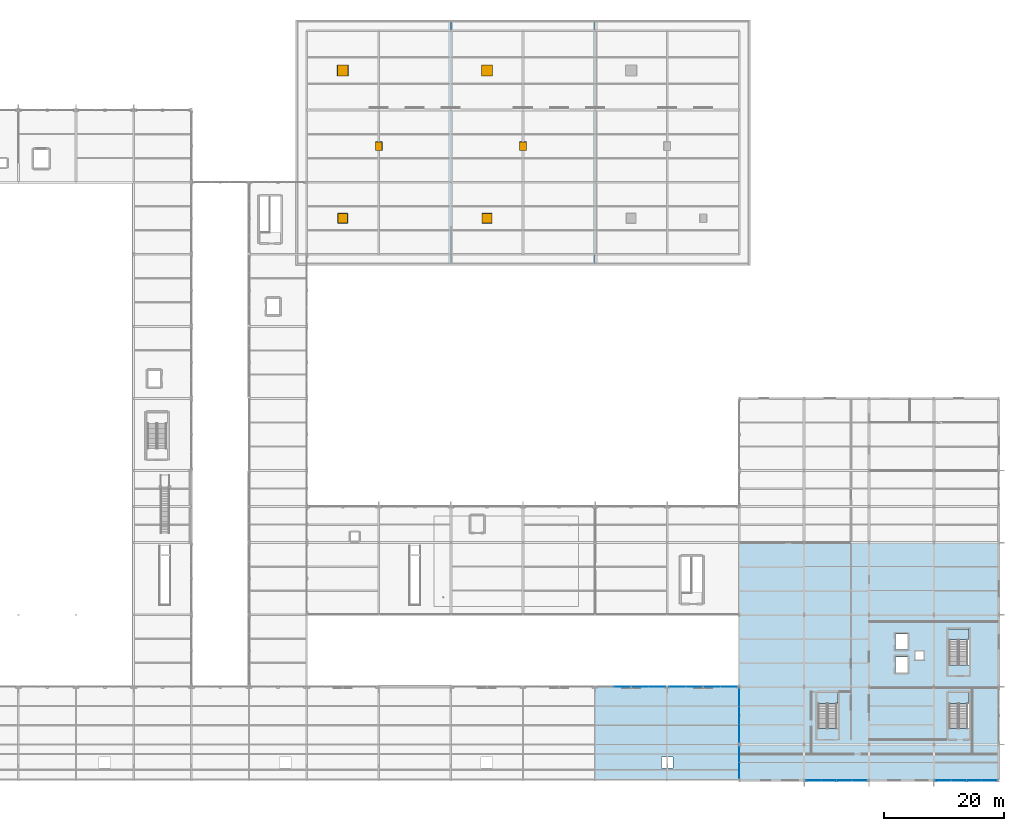
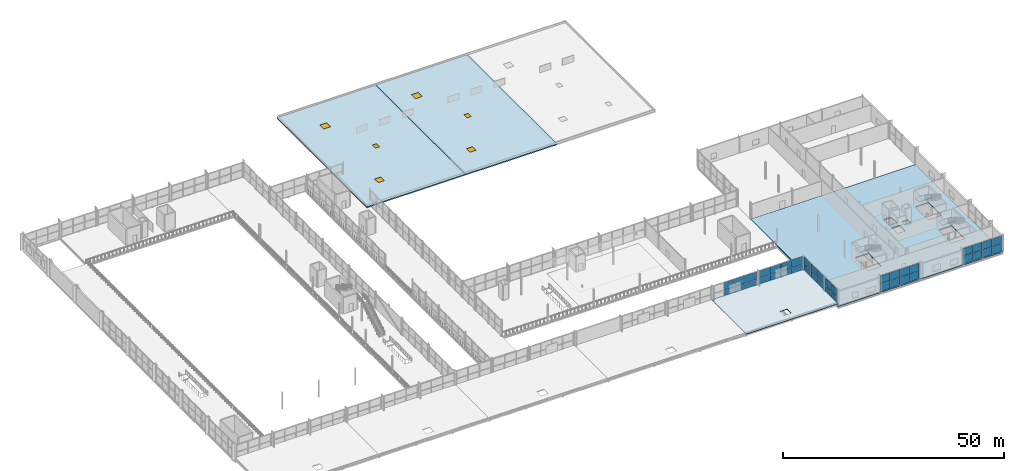
# One storey, part 125 of 159: 40 plates, 7 slabs, 6 windows, 6 openings, 9 elements without a shape of their own.
"""IFC4 building model written with IfcOpenShell, lengths in metres."""

from ifc_helpers import new_model, si_unit, direction, frame, origin, origin_2d, place, context, subcontext, project, spatial, polyline, rectangle, outline, extrude, material, layer, layer_set, type_object, element, fill, aggregate, save


model = new_model("IFC4")

# Units and contexts
model_context = context("Model", 3, precision=1e-05, world=origin(), true_north=direction((0.0, 1.0)))
body_context = subcontext(model_context, "Body", "Model", "MODEL_VIEW")
ifc_project = project(units=[si_unit("LENGTHUNIT", "METRE"), si_unit("AREAUNIT", "SQUARE_METRE"), si_unit("VOLUMEUNIT", "CUBIC_METRE"), si_unit("PLANEANGLEUNIT", "RADIAN"), si_unit("MASSUNIT", "GRAM", prefix="KILO")], contexts=[model_context])

# Site, building, storey
site_placement = place(None, origin())
site = spatial("IfcSite", under=ifc_project, at=site_placement, CompositionType="ELEMENT")
building_placement = place(site_placement, origin())
building = spatial("IfcBuilding", under=site, at=building_placement, Name="Merenkruunu Market Hall", CompositionType="ELEMENT")
storey_placement = place(building_placement, frame((0.0, 0.0, 5.39990234375)))
storey = spatial("IfcBuildingStorey", under=building, at=storey_placement, Name="L01", CompositionType="ELEMENT", Elevation=5.39990234375)

# Curtain wall, plates
ifc_material_1 = material(Name="Powder-coated aluminium", Category="aluminium")
curtain_wall_type_1 = type_object("IfcCurtainWallType", Name="Glazed Curtain Wall CW02", PredefinedType="USERDEFINED", material=ifc_material_1)
curtain_wall_1_placement = place(storey_placement, origin())
curtain_wall_1 = element("IfcCurtainWall", 1, at=curtain_wall_1_placement, inside=storey, type_object=curtain_wall_type_1, Name="CW-L01-CWM02-195", ObjectType="GLAZED_FACADE", PredefinedType="USERDEFINED")
ifc_material_2 = material(Name="Triple low-E insulated glass", Category="glass")
ifc_layer_1 = layer(ifc_material_2, 0.0380859375)
ifc_layer_set_1 = layer_set([ifc_layer_1], Name="Triple low-E insulated glass")
plate_type_1 = type_object("IfcPlateType", Name="Curtain Wall Glazing Panel CWP04", PredefinedType="CURTAIN_PANEL", material=ifc_layer_set_1)
plate_1_placement = place(storey_placement, frame((135.074951171875, 15.60009765625, 0.06005859375), z_axis=(0.0, 0.0, 1.0), x_axis=(-1.0, 0.0, 0.0)))
plate_1 = element("IfcPlate", 2, at=plate_1_placement, type_object=plate_type_1, Name="CW02 panel 1.1", PredefinedType="CURTAIN_PANEL", context=body_context, shape_type="SweptSolid", body=[
    extrude(rectangle(XDim=2.77001953125, YDim=0.0380859375, at=origin_2d()), origin(), (0.0, 0.0, 1.0), 2.110107421875),
])
plate_2_placement = place(storey_placement, frame((135.074951171875, 15.60009765625, 2.22998046875), z_axis=(0.0, 0.0, 1.0), x_axis=(-1.0, 0.0, 0.0)))
plate_2 = element("IfcPlate", 3, at=plate_2_placement, type_object=plate_type_1, Name="CW02 panel 1.2", PredefinedType="CURTAIN_PANEL", context=body_context, shape_type="SweptSolid", body=[
    extrude(rectangle(XDim=2.77001953125, YDim=0.0380859375, at=origin_2d()), origin(), (0.0, 0.0, 1.0), 2.110107421875),
])
plate_3_placement = place(storey_placement, frame((132.22998046875, 15.60009765625, 0.06005859375), z_axis=(0.0, 0.0, 1.0), x_axis=(-1.0, 0.0, 0.0)))
plate_3 = element("IfcPlate", 4, at=plate_3_placement, type_object=plate_type_1, Name="CW02 panel 2.1", PredefinedType="CURTAIN_PANEL", context=body_context, shape_type="SweptSolid", body=[
    extrude(rectangle(XDim=2.800048828125, YDim=0.0380859375, at=origin_2d()), origin(), (0.0, 0.0, 1.0), 2.110107421875),
])
plate_4_placement = place(storey_placement, frame((132.22998046875, 15.60009765625, 2.22998046875), z_axis=(0.0, 0.0, 1.0), x_axis=(-1.0, 0.0, 0.0)))
plate_4 = element("IfcPlate", 5, at=plate_4_placement, type_object=plate_type_1, Name="CW02 panel 2.2", PredefinedType="CURTAIN_PANEL", context=body_context, shape_type="SweptSolid", body=[
    extrude(rectangle(XDim=2.800048828125, YDim=0.0380859375, at=origin_2d()), origin(), (0.0, 0.0, 1.0), 2.110107421875),
])
plate_5_placement = place(storey_placement, frame((129.3701171875, 15.60009765625, 0.06005859375), z_axis=(0.0, 0.0, 1.0), x_axis=(-1.0, 0.0, 0.0)))
plate_5 = element("IfcPlate", 6, at=plate_5_placement, type_object=plate_type_1, Name="CW02 panel 3.1", PredefinedType="CURTAIN_PANEL", context=body_context, shape_type="SweptSolid", body=[
    extrude(rectangle(XDim=2.800048828125, YDim=0.0380859375, at=origin_2d()), origin(), (0.0, 0.0, 1.0), 2.110107421875),
])
plate_6_placement = place(storey_placement, frame((129.3701171875, 15.60009765625, 2.22998046875), z_axis=(0.0, 0.0, 1.0), x_axis=(-1.0, 0.0, 0.0)))
plate_6 = element("IfcPlate", 7, at=plate_6_placement, type_object=plate_type_1, Name="CW02 panel 3.2", PredefinedType="CURTAIN_PANEL", context=body_context, shape_type="SweptSolid", body=[
    extrude(rectangle(XDim=2.800048828125, YDim=0.0380859375, at=origin_2d()), origin(), (0.0, 0.0, 1.0), 2.110107421875),
])
aggregate(curtain_wall_1, [plate_1, plate_2, plate_3, plate_4, plate_5, plate_6])

curtain_wall_2_placement = place(storey_placement, origin())
curtain_wall_2 = element("IfcCurtainWall", 8, at=curtain_wall_2_placement, inside=storey, type_object=curtain_wall_type_1, Name="CW-L01-CWM02-199", ObjectType="GLAZED_FACADE", PredefinedType="USERDEFINED")
plate_7_placement = place(storey_placement, frame((147.074951171875, 15.60009765625, 0.06005859375), z_axis=(0.0, 0.0, 1.0), x_axis=(-1.0, 0.0, 0.0)))
plate_7 = element("IfcPlate", 9, at=plate_7_placement, type_object=plate_type_1, Name="CW02 panel 1.1", PredefinedType="CURTAIN_PANEL", context=body_context, shape_type="SweptSolid", body=[
    extrude(rectangle(XDim=2.77001953125, YDim=0.0380859375, at=origin_2d()), origin(), (0.0, 0.0, 1.0), 2.110107421875),
])
plate_8_placement = place(storey_placement, frame((147.074951171875, 15.60009765625, 2.22998046875), z_axis=(0.0, 0.0, 1.0), x_axis=(-1.0, 0.0, 0.0)))
plate_8 = element("IfcPlate", 10, at=plate_8_placement, type_object=plate_type_1, Name="CW02 panel 1.2", PredefinedType="CURTAIN_PANEL", context=body_context, shape_type="SweptSolid", body=[
    extrude(rectangle(XDim=2.77001953125, YDim=0.0380859375, at=origin_2d()), origin(), (0.0, 0.0, 1.0), 2.110107421875),
])
plate_9_placement = place(storey_placement, frame((144.22998046875, 15.60009765625, 0.06005859375), z_axis=(0.0, 0.0, 1.0), x_axis=(-1.0, 0.0, 0.0)))
plate_9 = element("IfcPlate", 11, at=plate_9_placement, type_object=plate_type_1, Name="CW02 panel 2.1", PredefinedType="CURTAIN_PANEL", context=body_context, shape_type="SweptSolid", body=[
    extrude(rectangle(XDim=2.800048828125, YDim=0.0380859375, at=origin_2d()), origin(), (0.0, 0.0, 1.0), 2.110107421875),
])
plate_10_placement = place(storey_placement, frame((144.22998046875, 15.60009765625, 2.22998046875), z_axis=(0.0, 0.0, 1.0), x_axis=(-1.0, 0.0, 0.0)))
plate_10 = element("IfcPlate", 12, at=plate_10_placement, type_object=plate_type_1, Name="CW02 panel 2.2", PredefinedType="CURTAIN_PANEL", context=body_context, shape_type="SweptSolid", body=[
    extrude(rectangle(XDim=2.800048828125, YDim=0.0380859375, at=origin_2d()), origin(), (0.0, 0.0, 1.0), 2.110107421875),
])
plate_11_placement = place(storey_placement, frame((141.3701171875, 15.60009765625, 0.06005859375), z_axis=(0.0, 0.0, 1.0), x_axis=(-1.0, 0.0, 0.0)))
plate_11 = element("IfcPlate", 13, at=plate_11_placement, type_object=plate_type_1, Name="CW02 panel 3.1", PredefinedType="CURTAIN_PANEL", context=body_context, shape_type="SweptSolid", body=[
    extrude(rectangle(XDim=2.800048828125, YDim=0.0380859375, at=origin_2d()), origin(), (0.0, 0.0, 1.0), 2.110107421875),
])
plate_12_placement = place(storey_placement, frame((141.3701171875, 15.60009765625, 2.22998046875), z_axis=(0.0, 0.0, 1.0), x_axis=(-1.0, 0.0, 0.0)))
plate_12 = element("IfcPlate", 14, at=plate_12_placement, type_object=plate_type_1, Name="CW02 panel 3.2", PredefinedType="CURTAIN_PANEL", context=body_context, shape_type="SweptSolid", body=[
    extrude(rectangle(XDim=2.800048828125, YDim=0.0380859375, at=origin_2d()), origin(), (0.0, 0.0, 1.0), 2.110107421875),
])
plate_13_placement = place(storey_placement, frame((138.52490234375, 15.60009765625, 0.06005859375), z_axis=(0.0, 0.0, 1.0), x_axis=(-1.0, 0.0, 0.0)))
plate_13 = element("IfcPlate", 15, at=plate_13_placement, type_object=plate_type_1, Name="CW02 panel 4.1", PredefinedType="CURTAIN_PANEL", context=body_context, shape_type="SweptSolid", body=[
    extrude(rectangle(XDim=2.77001953125, YDim=0.0380859375, at=origin_2d()), origin(), (0.0, 0.0, 1.0), 2.110107421875),
])
plate_14_placement = place(storey_placement, frame((138.52490234375, 15.60009765625, 2.22998046875), z_axis=(0.0, 0.0, 1.0), x_axis=(-1.0, 0.0, 0.0)))
plate_14 = element("IfcPlate", 16, at=plate_14_placement, type_object=plate_type_1, Name="CW02 panel 4.2", PredefinedType="CURTAIN_PANEL", context=body_context, shape_type="SweptSolid", body=[
    extrude(rectangle(XDim=2.77001953125, YDim=0.0380859375, at=origin_2d()), origin(), (0.0, 0.0, 1.0), 2.110107421875),
])
aggregate(curtain_wall_2, [plate_7, plate_8, plate_9, plate_10, plate_11, plate_12, plate_13, plate_14])

curtain_wall_type_2 = type_object("IfcCurtainWallType", Name="Glazed Curtain Wall CW07", PredefinedType="USERDEFINED", material=ifc_material_1)
curtain_wall_3_placement = place(storey_placement, origin())
curtain_wall_3 = element("IfcCurtainWall", 17, at=curtain_wall_3_placement, inside=storey, type_object=curtain_wall_type_2, Name="CW-L01-CWM03-207", ObjectType="GLAZED_FACADE", PredefinedType="USERDEFINED")
ifc_layer_2 = layer(ifc_material_2, 0.035888671875)
ifc_layer_set_2 = layer_set([ifc_layer_2], Name="Triple low-E insulated glass")
plate_type_2 = type_object("IfcPlateType", Name="Curtain Wall Glazing Panel CWP05", PredefinedType="CURTAIN_PANEL", material=ifc_layer_set_2)
plate_15_placement = place(storey_placement, frame((168.824951171875, 0.0, 0.06005859375), z_axis=(0.0, 0.0, 1.0), x_axis=(-1.0, 0.0, 0.0)))
plate_15 = element("IfcPlate", 18, at=plate_15_placement, type_object=plate_type_2, Name="CW07 panel 1.1", PredefinedType="CURTAIN_PANEL", context=body_context, shape_type="SweptSolid", body=[
    extrude(rectangle(XDim=2.469970703125, YDim=0.035888671875, at=origin_2d()), origin(), (0.0, 0.0, 1.0), 2.14990234375),
])
plate_16_placement = place(storey_placement, frame((168.824951171875, 0.0, 2.270263671875), z_axis=(0.0, 0.0, 1.0), x_axis=(-1.0, 0.0, 0.0)))
plate_16 = element("IfcPlate", 19, at=plate_16_placement, type_object=plate_type_2, Name="CW07 panel 1.2", PredefinedType="CURTAIN_PANEL", context=body_context, shape_type="SweptSolid", body=[
    extrude(rectangle(XDim=2.469970703125, YDim=0.035888671875, at=origin_2d()), origin(), (0.0, 0.0, 1.0), 2.14990234375),
])
plate_17_placement = place(storey_placement, frame((166.280029296875, 0.0, 0.06005859375), z_axis=(0.0, 0.0, 1.0), x_axis=(-1.0, 0.0, 0.0)))
plate_17 = element("IfcPlate", 20, at=plate_17_placement, type_object=plate_type_2, Name="CW07 panel 2.1", PredefinedType="CURTAIN_PANEL", context=body_context, shape_type="SweptSolid", body=[
    extrude(rectangle(XDim=2.5, YDim=0.035888671875, at=origin_2d()), origin(), (0.0, 0.0, 1.0), 2.14990234375),
])
plate_18_placement = place(storey_placement, frame((166.280029296875, 0.0, 2.270263671875), z_axis=(0.0, 0.0, 1.0), x_axis=(-1.0, 0.0, 0.0)))
plate_18 = element("IfcPlate", 21, at=plate_18_placement, type_object=plate_type_2, Name="CW07 panel 2.2", PredefinedType="CURTAIN_PANEL", context=body_context, shape_type="SweptSolid", body=[
    extrude(rectangle(XDim=2.5, YDim=0.035888671875, at=origin_2d()), origin(), (0.0, 0.0, 1.0), 2.14990234375),
])
plate_19_placement = place(storey_placement, frame((163.719970703125, 0.0, 0.06005859375), z_axis=(0.0, 0.0, 1.0), x_axis=(-1.0, 0.0, 0.0)))
plate_19 = element("IfcPlate", 22, at=plate_19_placement, type_object=plate_type_2, Name="CW07 panel 3.1", PredefinedType="CURTAIN_PANEL", context=body_context, shape_type="SweptSolid", body=[
    extrude(rectangle(XDim=2.5, YDim=0.035888671875, at=origin_2d()), origin(), (0.0, 0.0, 1.0), 2.14990234375),
])
plate_20_placement = place(storey_placement, frame((163.719970703125, 0.0, 2.270263671875), z_axis=(0.0, 0.0, 1.0), x_axis=(-1.0, 0.0, 0.0)))
plate_20 = element("IfcPlate", 23, at=plate_20_placement, type_object=plate_type_2, Name="CW07 panel 3.2", PredefinedType="CURTAIN_PANEL", context=body_context, shape_type="SweptSolid", body=[
    extrude(rectangle(XDim=2.5, YDim=0.035888671875, at=origin_2d()), origin(), (0.0, 0.0, 1.0), 2.14990234375),
])
plate_21_placement = place(storey_placement, frame((161.175048828125, 0.0, 0.06005859375), z_axis=(0.0, 0.0, 1.0), x_axis=(-1.0, 0.0, 0.0)))
plate_21 = element("IfcPlate", 24, at=plate_21_placement, type_object=plate_type_2, Name="CW07 panel 4.1", PredefinedType="CURTAIN_PANEL", context=body_context, shape_type="SweptSolid", body=[
    extrude(rectangle(XDim=2.469970703125, YDim=0.035888671875, at=origin_2d()), origin(), (0.0, 0.0, 1.0), 2.14990234375),
])
plate_22_placement = place(storey_placement, frame((161.175048828125, 0.0, 2.270263671875), z_axis=(0.0, 0.0, 1.0), x_axis=(-1.0, 0.0, 0.0)))
plate_22 = element("IfcPlate", 25, at=plate_22_placement, type_object=plate_type_2, Name="CW07 panel 4.2", PredefinedType="CURTAIN_PANEL", context=body_context, shape_type="SweptSolid", body=[
    extrude(rectangle(XDim=2.469970703125, YDim=0.035888671875, at=origin_2d()), origin(), (0.0, 0.0, 1.0), 2.14990234375),
])
aggregate(curtain_wall_3, [plate_15, plate_16, plate_17, plate_18, plate_19, plate_20, plate_21, plate_22])

curtain_wall_4_placement = place(storey_placement, origin())
curtain_wall_4 = element("IfcCurtainWall", 26, at=curtain_wall_4_placement, inside=storey, type_object=curtain_wall_type_2, Name="CW-L01-CWM03-208", ObjectType="GLAZED_FACADE", PredefinedType="USERDEFINED")
plate_23_placement = place(storey_placement, frame((190.425048828125, 0.0, 0.06005859375), z_axis=(0.0, 0.0, 1.0), x_axis=(-1.0, 0.0, 0.0)))
plate_23 = element("IfcPlate", 27, at=plate_23_placement, type_object=plate_type_2, Name="CW07 panel 1.1", PredefinedType="CURTAIN_PANEL", context=body_context, shape_type="SweptSolid", body=[
    extrude(rectangle(XDim=2.469970703125, YDim=0.035888671875, at=origin_2d()), origin(), (0.0, 0.0, 1.0), 2.14990234375),
])
plate_24_placement = place(storey_placement, frame((190.425048828125, 0.0, 2.270263671875), z_axis=(0.0, 0.0, 1.0), x_axis=(-1.0, 0.0, 0.0)))
plate_24 = element("IfcPlate", 28, at=plate_24_placement, type_object=plate_type_2, Name="CW07 panel 1.2", PredefinedType="CURTAIN_PANEL", context=body_context, shape_type="SweptSolid", body=[
    extrude(rectangle(XDim=2.469970703125, YDim=0.035888671875, at=origin_2d()), origin(), (0.0, 0.0, 1.0), 2.14990234375),
])
plate_25_placement = place(storey_placement, frame((187.8798828125, 0.0, 0.06005859375), z_axis=(0.0, 0.0, 1.0), x_axis=(-1.0, 0.0, 0.0)))
plate_25 = element("IfcPlate", 29, at=plate_25_placement, type_object=plate_type_2, Name="CW07 panel 2.1", PredefinedType="CURTAIN_PANEL", context=body_context, shape_type="SweptSolid", body=[
    extrude(rectangle(XDim=2.5, YDim=0.035888671875, at=origin_2d()), origin(), (0.0, 0.0, 1.0), 2.14990234375),
])
plate_26_placement = place(storey_placement, frame((187.8798828125, 0.0, 2.270263671875), z_axis=(0.0, 0.0, 1.0), x_axis=(-1.0, 0.0, 0.0)))
plate_26 = element("IfcPlate", 30, at=plate_26_placement, type_object=plate_type_2, Name="CW07 panel 2.2", PredefinedType="CURTAIN_PANEL", context=body_context, shape_type="SweptSolid", body=[
    extrude(rectangle(XDim=2.5, YDim=0.035888671875, at=origin_2d()), origin(), (0.0, 0.0, 1.0), 2.14990234375),
])
plate_27_placement = place(storey_placement, frame((185.320068359375, 0.0, 0.06005859375), z_axis=(0.0, 0.0, 1.0), x_axis=(-1.0, 0.0, 0.0)))
plate_27 = element("IfcPlate", 31, at=plate_27_placement, type_object=plate_type_2, Name="CW07 panel 3.1", PredefinedType="CURTAIN_PANEL", context=body_context, shape_type="SweptSolid", body=[
    extrude(rectangle(XDim=2.5, YDim=0.035888671875, at=origin_2d()), origin(), (0.0, 0.0, 1.0), 2.14990234375),
])
plate_28_placement = place(storey_placement, frame((185.320068359375, 0.0, 2.270263671875), z_axis=(0.0, 0.0, 1.0), x_axis=(-1.0, 0.0, 0.0)))
plate_28 = element("IfcPlate", 32, at=plate_28_placement, type_object=plate_type_2, Name="CW07 panel 3.2", PredefinedType="CURTAIN_PANEL", context=body_context, shape_type="SweptSolid", body=[
    extrude(rectangle(XDim=2.5, YDim=0.035888671875, at=origin_2d()), origin(), (0.0, 0.0, 1.0), 2.14990234375),
])
plate_29_placement = place(storey_placement, frame((182.77490234375, 0.0, 0.06005859375), z_axis=(0.0, 0.0, 1.0), x_axis=(-1.0, 0.0, 0.0)))
plate_29 = element("IfcPlate", 33, at=plate_29_placement, type_object=plate_type_2, Name="CW07 panel 4.1", PredefinedType="CURTAIN_PANEL", context=body_context, shape_type="SweptSolid", body=[
    extrude(rectangle(XDim=2.469970703125, YDim=0.035888671875, at=origin_2d()), origin(), (0.0, 0.0, 1.0), 2.14990234375),
])
plate_30_placement = place(storey_placement, frame((182.77490234375, 0.0, 2.270263671875), z_axis=(0.0, 0.0, 1.0), x_axis=(-1.0, 0.0, 0.0)))
plate_30 = element("IfcPlate", 34, at=plate_30_placement, type_object=plate_type_2, Name="CW07 panel 4.2", PredefinedType="CURTAIN_PANEL", context=body_context, shape_type="SweptSolid", body=[
    extrude(rectangle(XDim=2.469970703125, YDim=0.035888671875, at=origin_2d()), origin(), (0.0, 0.0, 1.0), 2.14990234375),
])
aggregate(curtain_wall_4, [plate_23, plate_24, plate_25, plate_26, plate_27, plate_28, plate_29, plate_30])

curtain_wall_type_3 = type_object("IfcCurtainWallType", Name="Glazed Curtain Wall CW14", PredefinedType="USERDEFINED", material=ifc_material_1)
curtain_wall_5_placement = place(storey_placement, origin())
curtain_wall_5 = element("IfcCurtainWall", 35, at=curtain_wall_5_placement, inside=storey, type_object=curtain_wall_type_3, Name="CW-L01-CWM02-211", ObjectType="GLAZED_FACADE", PredefinedType="USERDEFINED")
ifc_layer_3 = layer(ifc_material_2, 0.0380859375)
ifc_layer_set_3 = layer_set([ifc_layer_3], Name="Triple low-E insulated glass")
plate_type_3 = type_object("IfcPlateType", Name="Curtain Wall Glazing Panel CWP10", PredefinedType="CURTAIN_PANEL", material=ifc_layer_set_3)
plate_31_placement = place(storey_placement, frame((148.800048828125, 1.655029296875, 0.06005859375), z_axis=(0.0, 0.0, 1.0), x_axis=(0.0, 1.0, 0.0)))
plate_31 = element("IfcPlate", 36, at=plate_31_placement, type_object=plate_type_3, Name="CW14 panel 1.1", PredefinedType="CURTAIN_PANEL", context=body_context, shape_type="SweptSolid", body=[
    extrude(rectangle(XDim=2.6298828125, YDim=0.0380859375, at=origin_2d()), origin(), (0.0, 0.0, 1.0), 2.14990234375),
])
plate_32_placement = place(storey_placement, frame((148.800048828125, 1.655029296875, 2.270263671875), z_axis=(0.0, 0.0, 1.0), x_axis=(0.0, 1.0, 0.0)))
plate_32 = element("IfcPlate", 37, at=plate_32_placement, type_object=plate_type_3, Name="CW14 panel 1.2", PredefinedType="CURTAIN_PANEL", context=body_context, shape_type="SweptSolid", body=[
    extrude(rectangle(XDim=2.6298828125, YDim=0.0380859375, at=origin_2d()), origin(), (0.0, 0.0, 1.0), 2.14990234375),
])
plate_33_placement = place(storey_placement, frame((148.800048828125, 4.344970703125, 0.06005859375), z_axis=(0.0, 0.0, 1.0), x_axis=(0.0, 1.0, 0.0)))
plate_33 = element("IfcPlate", 38, at=plate_33_placement, type_object=plate_type_3, Name="CW14 panel 2.1", PredefinedType="CURTAIN_PANEL", context=body_context, shape_type="SweptSolid", body=[
    extrude(rectangle(XDim=2.6298828125, YDim=0.0380859375, at=origin_2d()), origin(), (0.0, 0.0, 1.0), 2.14990234375),
])
plate_34_placement = place(storey_placement, frame((148.800048828125, 4.344970703125, 2.270263671875), z_axis=(0.0, 0.0, 1.0), x_axis=(0.0, 1.0, 0.0)))
plate_34 = element("IfcPlate", 39, at=plate_34_placement, type_object=plate_type_3, Name="CW14 panel 2.2", PredefinedType="CURTAIN_PANEL", context=body_context, shape_type="SweptSolid", body=[
    extrude(rectangle(XDim=2.6298828125, YDim=0.0380859375, at=origin_2d()), origin(), (0.0, 0.0, 1.0), 2.14990234375),
])
aggregate(curtain_wall_5, [plate_31, plate_32, plate_33, plate_34])

curtain_wall_6_placement = place(storey_placement, origin())
curtain_wall_6 = element("IfcCurtainWall", 40, at=curtain_wall_6_placement, inside=storey, type_object=curtain_wall_type_3, Name="CW-L01-CWM02-212", ObjectType="GLAZED_FACADE", PredefinedType="USERDEFINED")
plate_35_placement = place(storey_placement, frame((148.800048828125, 7.8017578125, 0.06005859375), z_axis=(0.0, 0.0, 1.0), x_axis=(0.0, 1.0, 0.0)))
plate_35 = element("IfcPlate", 41, at=plate_35_placement, type_object=plate_type_3, Name="CW14 panel 1.1", PredefinedType="CURTAIN_PANEL", context=body_context, shape_type="SweptSolid", body=[
    extrude(rectangle(XDim=2.92333984375, YDim=0.0380859375, at=origin_2d()), origin(), (0.0, 0.0, 1.0), 2.14990234375),
])
plate_36_placement = place(storey_placement, frame((148.800048828125, 7.8017578125, 2.270263671875), z_axis=(0.0, 0.0, 1.0), x_axis=(0.0, 1.0, 0.0)))
plate_36 = element("IfcPlate", 42, at=plate_36_placement, type_object=plate_type_3, Name="CW14 panel 1.2", PredefinedType="CURTAIN_PANEL", context=body_context, shape_type="SweptSolid", body=[
    extrude(rectangle(XDim=2.92333984375, YDim=0.0380859375, at=origin_2d()), origin(), (0.0, 0.0, 1.0), 2.14990234375),
])
plate_37_placement = place(storey_placement, frame((148.800048828125, 10.800048828125, 0.06005859375), z_axis=(0.0, 0.0, 1.0), x_axis=(0.0, 1.0, 0.0)))
plate_37 = element("IfcPlate", 43, at=plate_37_placement, type_object=plate_type_3, Name="CW14 panel 2.1", PredefinedType="CURTAIN_PANEL", context=body_context, shape_type="SweptSolid", body=[
    extrude(rectangle(XDim=2.953369140625, YDim=0.0380859375, at=origin_2d()), origin(), (0.0, 0.0, 1.0), 2.14990234375),
])
plate_38_placement = place(storey_placement, frame((148.800048828125, 10.800048828125, 2.270263671875), z_axis=(0.0, 0.0, 1.0), x_axis=(0.0, 1.0, 0.0)))
plate_38 = element("IfcPlate", 44, at=plate_38_placement, type_object=plate_type_3, Name="CW14 panel 2.2", PredefinedType="CURTAIN_PANEL", context=body_context, shape_type="SweptSolid", body=[
    extrude(rectangle(XDim=2.953369140625, YDim=0.0380859375, at=origin_2d()), origin(), (0.0, 0.0, 1.0), 2.14990234375),
])
plate_39_placement = place(storey_placement, frame((148.800048828125, 13.79833984375, 0.06005859375), z_axis=(0.0, 0.0, 1.0), x_axis=(0.0, 1.0, 0.0)))
plate_39 = element("IfcPlate", 45, at=plate_39_placement, type_object=plate_type_3, Name="CW14 panel 3.1", PredefinedType="CURTAIN_PANEL", context=body_context, shape_type="SweptSolid", body=[
    extrude(rectangle(XDim=2.92333984375, YDim=0.0380859375, at=origin_2d()), origin(), (0.0, 0.0, 1.0), 2.14990234375),
])
plate_40_placement = place(storey_placement, frame((148.800048828125, 13.79833984375, 2.270263671875), z_axis=(0.0, 0.0, 1.0), x_axis=(0.0, 1.0, 0.0)))
plate_40 = element("IfcPlate", 46, at=plate_40_placement, type_object=plate_type_3, Name="CW14 panel 3.2", PredefinedType="CURTAIN_PANEL", context=body_context, shape_type="SweptSolid", body=[
    extrude(rectangle(XDim=2.92333984375, YDim=0.0380859375, at=origin_2d()), origin(), (0.0, 0.0, 1.0), 2.14990234375),
])
aggregate(curtain_wall_6, [plate_35, plate_36, plate_37, plate_38, plate_39, plate_40])

# Slab, openings, windows
ifc_material_3 = material(Name="Precast concrete C40/50", Category="concrete")
ifc_layer_4 = layer(ifc_material_3, 0.320068359375)
ifc_layer_set_4 = layer_set([ifc_layer_4], Name="Precast concrete C40/50")
slab_type_1 = type_object("IfcSlabType", Name="Sloped Or Flat Roof Deck RS03", PredefinedType="ROOF", material=ifc_layer_set_4)
slab_1_placement = place(storey_placement, frame((0.0, 0.0, 0.900146484375)))
slab_1 = element("IfcSlab", 47, at=slab_1_placement, inside=storey, type_object=slab_type_1, Name="SL-ROOF-V5-01", PredefinedType="ROOF", context=body_context, shape_type="SweptSolid", body=[
    extrude(outline(polyline([(75.0, 85.800048828125), (100.800048828125, 85.800048828125), (100.800048828125, 126.60009765625), (75.0, 126.60009765625), (75.0, 85.800048828125)])), origin(), (0.0, 0.0, 1.0), 0.320068359375),
])
opening_1_placement = place(slab_1_placement, frame((88.800048828125, 105.60009765625, 0.0)))
opening_1 = element("IfcOpeningElement", 48, at=opening_1_placement, cuts=slab_1, Name="Opening SK04", PredefinedType="OPENING", context=body_context, shape_type="SweptSolid", body=[
    extrude(rectangle(XDim=1.10009765625, YDim=1.39990234375, at=origin_2d()), origin(), (0.0, 0.0, 1.0), 0.320068359375),
])
opening_2_placement = place(slab_1_placement, frame((82.800048828125, 93.60009765625, 0.0)))
opening_2 = element("IfcOpeningElement", 49, at=opening_2_placement, cuts=slab_1, Name="Opening SK05", PredefinedType="OPENING", context=body_context, shape_type="SweptSolid", body=[
    extrude(rectangle(XDim=1.60009765625, YDim=1.60009765625, at=origin_2d()), origin(), (0.0, 0.0, 1.0), 0.320068359375),
])
opening_3_placement = place(slab_1_placement, frame((82.800048828125, 118.199951171875, 0.0)))
opening_3 = element("IfcOpeningElement", 50, at=opening_3_placement, cuts=slab_1, Name="Opening SK06", PredefinedType="OPENING", context=body_context, shape_type="SweptSolid", body=[
    extrude(rectangle(XDim=1.800048828125, YDim=1.800048828125, at=origin_2d()), origin(), (0.0, 0.0, 1.0), 0.320068359375),
])
ifc_material_4 = material(Name="Diamond skylight blue triple glass", Category="glass")
ifc_layer_5 = layer(ifc_material_4, 0.06005859375)
ifc_layer_set_5 = layer_set([ifc_layer_5], Name="Diamond skylight blue triple glass")
window_type_1 = type_object("IfcWindowType", Name="Concourse Roof Skylight SK05", PartitioningType="SINGLE_PANEL", PredefinedType="SKYLIGHT", material=ifc_layer_set_5)
window_1_placement = place(opening_2_placement, frame((0.0, 0.0, 0.27001953125)))
window_1 = element("IfcWindow", 51, at=window_1_placement, inside=storey, type_object=window_type_1, Name="SKY-HATCH-04", OverallHeight=1.60009765625, OverallWidth=1.60009765625, PartitioningType="SINGLE_PANEL", PredefinedType="SKYLIGHT", context=body_context, shape_type="SweptSolid", body=[
    extrude(rectangle(XDim=1.60009765625, YDim=1.60009765625, at=origin_2d()), origin(), (0.0, 0.0, 1.0), 0.050048828125),
])
fill(opening_2, window_1)
ifc_layer_6 = layer(ifc_material_4, 0.06005859375)
ifc_layer_set_6 = layer_set([ifc_layer_6], Name="Diamond skylight blue triple glass")
window_type_2 = type_object("IfcWindowType", Name="Pavilion Oculus Skylight SK06", PartitioningType="SINGLE_PANEL", PredefinedType="SKYLIGHT", material=ifc_layer_set_6)
window_2_placement = place(opening_3_placement, frame((0.0, 0.0, 0.27001953125)))
window_2 = element("IfcWindow", 52, at=window_2_placement, inside=storey, type_object=window_type_2, Name="SKY-HATCH-07", OverallHeight=1.800048828125, OverallWidth=1.800048828125, PartitioningType="SINGLE_PANEL", PredefinedType="SKYLIGHT", context=body_context, shape_type="SweptSolid", body=[
    extrude(rectangle(XDim=1.800048828125, YDim=1.800048828125, at=origin_2d()), origin(), (0.0, 0.0, 1.0), 0.050048828125),
])
fill(opening_3, window_2)
ifc_layer_7 = layer(ifc_material_4, 0.06005859375)
ifc_layer_set_7 = layer_set([ifc_layer_7], Name="Diamond skylight blue triple glass")
window_type_3 = type_object("IfcWindowType", Name="Roof Access Skylight Hatch SK04", PartitioningType="SINGLE_PANEL", PredefinedType="SKYLIGHT", material=ifc_layer_set_7)
window_3_placement = place(opening_1_placement, frame((0.0, 0.0, 0.27001953125)))
window_3 = element("IfcWindow", 53, at=window_3_placement, inside=storey, type_object=window_type_3, Name="SKY-HATCH-01", OverallHeight=1.39990234375, OverallWidth=1.10009765625, PartitioningType="SINGLE_PANEL", PredefinedType="SKYLIGHT", context=body_context, shape_type="SweptSolid", body=[
    extrude(rectangle(XDim=1.10009765625, YDim=1.39990234375, at=origin_2d()), origin(), (0.0, 0.0, 1.0), 0.050048828125),
])
fill(opening_1, window_3)

slab_2_placement = place(storey_placement, frame((0.0, 0.0, 0.900146484375)))
slab_2 = element("IfcSlab", 54, at=slab_2_placement, inside=storey, type_object=slab_type_1, Name="SL-ROOF-V5-02", PredefinedType="ROOF", context=body_context, shape_type="SweptSolid", body=[
    extrude(outline(polyline([(100.800048828125, 85.800048828125), (124.800048828125, 85.800048828125), (124.800048828125, 126.60009765625), (100.800048828125, 126.60009765625), (100.800048828125, 85.800048828125)])), origin(), (0.0, 0.0, 1.0), 0.320068359375),
])
opening_4_placement = place(slab_2_placement, frame((112.800048828125, 105.60009765625, 0.0)))
opening_4 = element("IfcOpeningElement", 55, at=opening_4_placement, cuts=slab_2, Name="Opening SK04", PredefinedType="OPENING", context=body_context, shape_type="SweptSolid", body=[
    extrude(rectangle(XDim=1.10009765625, YDim=1.39990234375, at=origin_2d()), origin(), (0.0, 0.0, 1.0), 0.320068359375),
])
opening_5_placement = place(slab_2_placement, frame((106.800048828125, 93.60009765625, 0.0)))
opening_5 = element("IfcOpeningElement", 56, at=opening_5_placement, cuts=slab_2, Name="Opening SK05", PredefinedType="OPENING", context=body_context, shape_type="SweptSolid", body=[
    extrude(rectangle(XDim=1.60009765625, YDim=1.60009765625, at=origin_2d()), origin(), (0.0, 0.0, 1.0), 0.320068359375),
])
opening_6_placement = place(slab_2_placement, frame((106.800048828125, 118.199951171875, 0.0)))
opening_6 = element("IfcOpeningElement", 57, at=opening_6_placement, cuts=slab_2, Name="Opening SK06", PredefinedType="OPENING", context=body_context, shape_type="SweptSolid", body=[
    extrude(rectangle(XDim=1.800048828125, YDim=1.800048828125, at=origin_2d()), origin(), (0.0, 0.0, 1.0), 0.320068359375),
])
window_4_placement = place(opening_5_placement, frame((0.0, 0.0, 0.27001953125)))
window_4 = element("IfcWindow", 58, at=window_4_placement, inside=storey, type_object=window_type_1, Name="SKY-HATCH-05", OverallHeight=1.60009765625, OverallWidth=1.60009765625, PartitioningType="SINGLE_PANEL", PredefinedType="SKYLIGHT", context=body_context, shape_type="SweptSolid", body=[
    extrude(rectangle(XDim=1.60009765625, YDim=1.60009765625, at=origin_2d()), origin(), (0.0, 0.0, 1.0), 0.050048828125),
])
fill(opening_5, window_4)
window_5_placement = place(opening_6_placement, frame((0.0, 0.0, 0.27001953125)))
window_5 = element("IfcWindow", 59, at=window_5_placement, inside=storey, type_object=window_type_2, Name="SKY-HATCH-08", OverallHeight=1.800048828125, OverallWidth=1.800048828125, PartitioningType="SINGLE_PANEL", PredefinedType="SKYLIGHT", context=body_context, shape_type="SweptSolid", body=[
    extrude(rectangle(XDim=1.800048828125, YDim=1.800048828125, at=origin_2d()), origin(), (0.0, 0.0, 1.0), 0.050048828125),
])
fill(opening_6, window_5)
window_6_placement = place(opening_4_placement, frame((0.0, 0.0, 0.27001953125)))
window_6 = element("IfcWindow", 60, at=window_6_placement, inside=storey, type_object=window_type_3, Name="SKY-HATCH-02", OverallHeight=1.39990234375, OverallWidth=1.10009765625, PartitioningType="SINGLE_PANEL", PredefinedType="SKYLIGHT", context=body_context, shape_type="SweptSolid", body=[
    extrude(rectangle(XDim=1.10009765625, YDim=1.39990234375, at=origin_2d()), origin(), (0.0, 0.0, 1.0), 0.050048828125),
])
fill(opening_4, window_6)

# Slab
ifc_material_5 = material(Name="White boulevard canopy Steel S355ML", Category="steel")
ifc_layer_8 = layer(ifc_material_5, 0.159912109375)
ifc_layer_set_8 = layer_set([ifc_layer_8], Name="White boulevard canopy Steel S355ML")
slab_type_2 = type_object("IfcSlabType", Name="Sloped Or Flat Roof Deck RS04", PredefinedType="ROOF", material=ifc_layer_set_8)
slab_3_placement = place(storey_placement, frame((0.0, 0.0, 0.440185546875)))
element("IfcSlab", 61, at=slab_3_placement, inside=storey, type_object=slab_type_2, Name="SL-ROOF-V6-05", PredefinedType="ROOF", context=body_context, shape_type="SweptSolid", body=[
    extrude(outline(polyline([(124.800048828125, 0.0), (148.800048828125, 0.0), (148.800048828125, 15.60009765625), (124.800048828125, 15.60009765625), (124.800048828125, 0.0)]), holes=[polyline([(135.85009765625, 2.10009765625), (137.75, 2.10009765625), (137.75, 3.89990234375), (135.85009765625, 3.89990234375), (135.85009765625, 2.10009765625)])]), origin(), (0.0, 0.0, 1.0), 0.159912109375),
])

# Stair, slab
ifc_material_6 = material(Name="Concrete C35/45", Category="concrete")
stair_type = type_object("IfcStairType", Name="Two Flight Half Turn Stair ST03", PredefinedType="TWO_STRAIGHT_RUN_STAIR", material=ifc_material_6)
stair_1_placement = place(storey_placement, origin())
stair_1 = element("IfcStair", 62, at=stair_1_placement, inside=storey, type_object=stair_type, Name="Protected Stair ST10 (K5 L01-L02)", PredefinedType="TWO_STRAIGHT_RUN_STAIR")
ifc_layer_9 = layer(ifc_material_6, 0.18994140625)
ifc_layer_set_9 = layer_set([ifc_layer_9], Name="Concrete C35/45")
slab_type_3 = type_object("IfcSlabType", Name="Stair Half Landing LS01", PredefinedType="LANDING", material=ifc_layer_set_9)
slab_4_placement = place(storey_placement, frame((0.0, 0.0, 2.210205078125)))
slab_4 = element("IfcSlab", 63, at=slab_4_placement, type_object=slab_type_3, Name="ST10 landing 1", PredefinedType="LANDING", context=body_context, shape_type="SweptSolid", body=[
    extrude(outline(polyline([(183.554931640625, 12.840087890625), (187.044921875, 12.840087890625), (187.044921875, 14.64501953125), (183.554931640625, 14.64501953125), (183.554931640625, 12.840087890625)])), origin(), (0.0, 0.0, 1.0), 0.18994140625),
])
aggregate(stair_1, [slab_4])

stair_2_placement = place(storey_placement, origin())
stair_2 = element("IfcStair", 64, at=stair_2_placement, inside=storey, type_object=stair_type, Name="Protected Stair ST14 (K6 L01-L02)", PredefinedType="TWO_STRAIGHT_RUN_STAIR")
slab_5_placement = place(storey_placement, frame((0.0, 0.0, 2.210205078125)))
slab_5 = element("IfcSlab", 65, at=slab_5_placement, type_object=slab_type_3, Name="ST14 landing 1", PredefinedType="LANDING", context=body_context, shape_type="SweptSolid", body=[
    extrude(outline(polyline([(183.554931640625, 23.43994140625), (187.044921875, 23.43994140625), (187.044921875, 25.2451171875), (183.554931640625, 25.2451171875), (183.554931640625, 23.43994140625)])), origin(), (0.0, 0.0, 1.0), 0.18994140625),
])
aggregate(stair_2, [slab_5])

stair_3_placement = place(storey_placement, origin())
stair_3 = element("IfcStair", 66, at=stair_3_placement, inside=storey, type_object=stair_type, Name="Protected Stair ST20 (K9 L01-L02)", PredefinedType="TWO_STRAIGHT_RUN_STAIR")
slab_6_placement = place(storey_placement, frame((0.0, 0.0, 2.210205078125)))
slab_6 = element("IfcSlab", 67, at=slab_6_placement, type_object=slab_type_3, Name="ST20 landing 1", PredefinedType="LANDING", context=body_context, shape_type="SweptSolid", body=[
    extrude(outline(polyline([(161.7548828125, 12.840087890625), (165.2451171875, 12.840087890625), (165.2451171875, 14.64501953125), (161.7548828125, 14.64501953125), (161.7548828125, 12.840087890625)])), origin(), (0.0, 0.0, 1.0), 0.18994140625),
])
aggregate(stair_3, [slab_6])

# Slab
ifc_layer_10 = layer(ifc_material_6, 0.280029296875)
ifc_layer_set_10 = layer_set([ifc_layer_10], Name="Concrete C35/45")
slab_type_4 = type_object("IfcSlabType", Name="Suspended Floor Slab FS03", PredefinedType="FLOOR", material=ifc_layer_set_10)
slab_7_placement = place(storey_placement, frame((0.0, 0.0, -0.27978515625)))
element("IfcSlab", 68, at=slab_7_placement, inside=storey, type_object=slab_type_4, Name="SL-L01-V3S", PredefinedType="FLOOR", context=body_context, shape_type="SweptSolid", body=[
    extrude(outline(polyline([(148.800048828125, 0.0), (192.0, 0.0), (192.0, 39.60009765625), (148.800048828125, 39.60009765625), (148.800048828125, 0.0)]), holes=[polyline([(183.590087890625, 8.659912109375), (187.010009765625, 8.659912109375), (187.010009765625, 14.610107421875), (183.590087890625, 14.610107421875), (183.590087890625, 8.659912109375)]), polyline([(183.590087890625, 19.260009765625), (187.010009765625, 19.260009765625), (187.010009765625, 25.2099609375), (183.590087890625, 25.2099609375), (183.590087890625, 19.260009765625)]), polyline([(161.7900390625, 8.659912109375), (165.2099609375, 8.659912109375), (165.2099609375, 14.610107421875), (161.7900390625, 14.610107421875), (161.7900390625, 8.659912109375)]), polyline([(174.820068359375, 18.02001953125), (176.780029296875, 18.02001953125), (176.780029296875, 20.580078125), (174.820068359375, 20.580078125), (174.820068359375, 18.02001953125)]), polyline([(174.820068359375, 21.820068359375), (176.780029296875, 21.820068359375), (176.780029296875, 24.3798828125), (174.820068359375, 24.3798828125), (174.820068359375, 21.820068359375)]), polyline([(178.0, 20.0), (179.60009765625, 20.0), (179.60009765625, 21.60009765625), (178.0, 21.60009765625), (178.0, 20.0)])]), origin(), (0.0, 0.0, 1.0), 0.27978515625),
])

save(model, "model.ifc")
